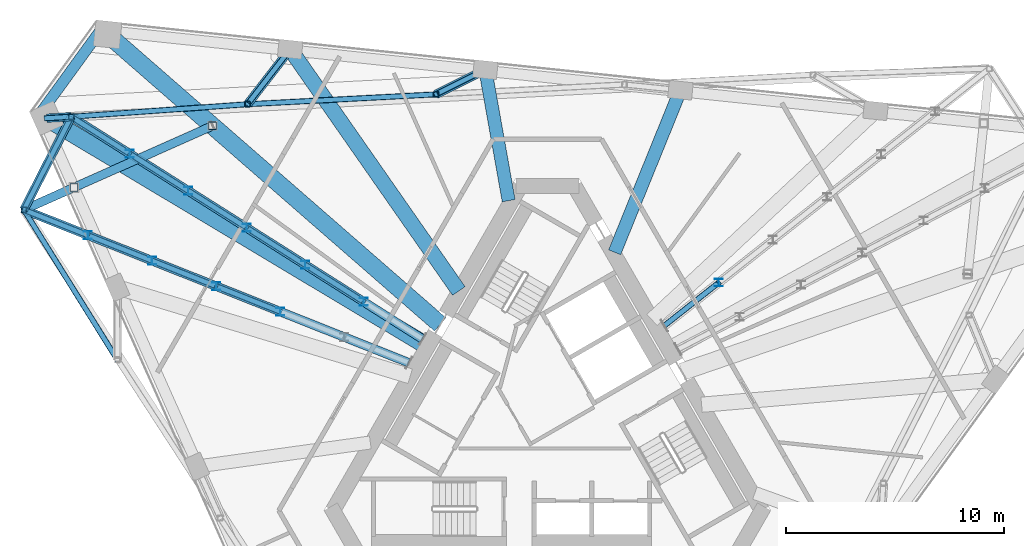
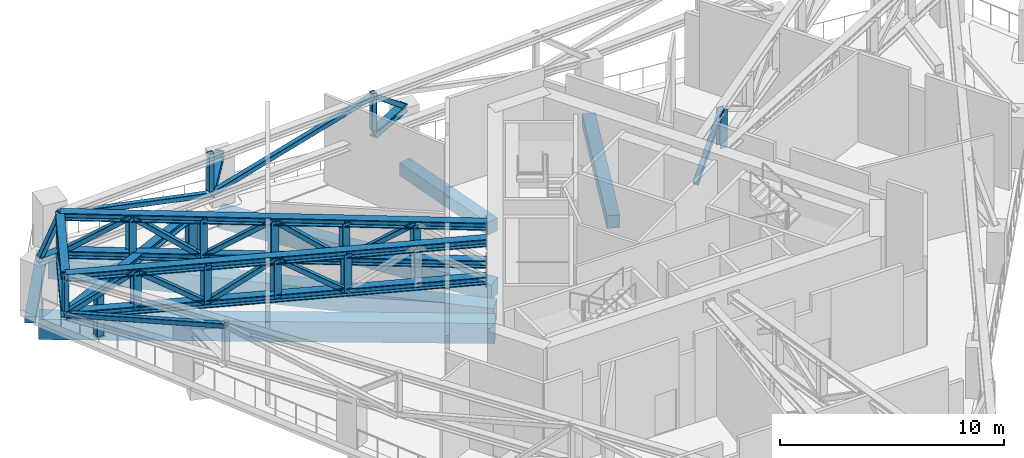
# One storey, part 8 of 20: 43 members, 6 beams.
"""IFC4 building model written with IfcOpenShell, lengths in metres."""

from ifc_helpers import new_model, si_unit, direction, frame, origin, origin_2d, place, context, subcontext, project, spatial, rectangle, hollow_rectangle, i_section, extrude, material, material_profile, profile_set, type_object, element, save


model = new_model("IFC4")

# Units and contexts
model_context = context("Model", 3, precision=1e-05, world=origin(), true_north=direction((0.0, 1.0)))
body_context = subcontext(model_context, "Body", "Model", "MODEL_VIEW")
ifc_project = project(units=[si_unit("LENGTHUNIT", "METRE"), si_unit("AREAUNIT", "SQUARE_METRE"), si_unit("VOLUMEUNIT", "CUBIC_METRE"), si_unit("PLANEANGLEUNIT", "RADIAN"), si_unit("MASSUNIT", "GRAM", prefix="KILO")], contexts=[model_context])

# Site, building, storey
site_placement = place(None, origin())
site = spatial("IfcSite", under=ifc_project, at=site_placement, CompositionType="ELEMENT")
building_placement = place(site_placement, origin())
building = spatial("IfcBuilding", under=site, at=building_placement, Name="Tramontana Tower", CompositionType="ELEMENT")
storey_placement = place(building_placement, frame((0.0, 0.0, 269.199951171875)))
storey = spatial("IfcBuildingStorey", under=building, at=storey_placement, Name="L63", CompositionType="ELEMENT", Elevation=269.199951171875)

# Members
ifc_material_1 = material(Name="Steel ASTM A500 Grade C", Category="steel")
ifc_material_profile_1 = material_profile(ifc_material_1, hollow_rectangle(XDim=0.25390625, YDim=0.25390625, WallThickness=0.01171875, InnerFilletRadius=0.01171875, OuterFilletRadius=0.023681640625, at=origin_2d()), Name="HSS10X10X1/2")
ifc_profile_set_1 = profile_set([ifc_material_profile_1], Name="Steel ASTM A500 Grade C")
member_type_1 = type_object("IfcMemberType", Name="Belt truss HSS10X10X1/2 brace", PredefinedType="BRACE", material=ifc_profile_set_1)
member_1_placement = place(storey_placement, frame((-24.030517578125, 9.55419921875, 2.59375), z_axis=(0.512734717552, -0.822423220012, 0.246420690288), x_axis=(0.848591262561, 0.529049023348, 0.0)))
element("IfcMember", 1, at=member_1_placement, inside=storey, type_object=member_type_1, Name="Belt truss diagonal S0.1", PredefinedType="BRACE", context=body_context, shape_type="SweptSolid", body=[
    extrude(hollow_rectangle(XDim=0.25390625, YDim=0.25390625, WallThickness=0.01171875, InnerFilletRadius=0.01171875, OuterFilletRadius=0.023681640625, at=origin_2d()), origin(), (0.0, 0.0, 1.0), 8.369873046875),
])
member_2_placement = place(storey_placement, frame((-5.114501953125, 14.852783203125, 4.65625), z_axis=(-0.971459126066, -0.050925914552, -0.231675889143), x_axis=(0.052350204922, -0.998628787911, 0.0)))
element("IfcMember", 2, at=member_2_placement, inside=storey, type_object=member_type_1, Name="Belt truss diagonal S2.4", PredefinedType="BRACE", context=body_context, shape_type="SweptSolid", body=[
    extrude(hollow_rectangle(XDim=0.25390625, YDim=0.25390625, WallThickness=0.01171875, InnerFilletRadius=0.01171875, OuterFilletRadius=0.023681640625, at=origin_2d()), origin(), (0.0, 0.0, 1.0), 8.902587890625),
])
member_3_placement = place(storey_placement, frame((-13.762939453125, 14.3994140625, 2.59375), z_axis=(-0.966729169424, -0.06860827997, 0.2464297403), x_axis=(0.070791441365, -0.997491138722, 0.0)))
element("IfcMember", 3, at=member_3_placement, inside=storey, type_object=member_type_1, Name="Belt truss diagonal S2.5", PredefinedType="BRACE", context=body_context, shape_type="SweptSolid", body=[
    extrude(hollow_rectangle(XDim=0.25390625, YDim=0.25390625, WallThickness=0.01171875, InnerFilletRadius=0.01171875, OuterFilletRadius=0.023681640625, at=origin_2d()), origin(), (0.0, 0.0, 1.0), 8.36962890625),
])
member_4_placement = place(storey_placement, frame((-21.85400390625, 13.8251953125, 2.59375), z_axis=(-0.417078150366, -0.818436922322, 0.395230085731), x_axis=(0.890978467196, -0.454045560481, 0.0)))
element("IfcMember", 4, at=member_4_placement, inside=storey, type_object=member_type_1, Name="Belt truss diagonal K0.1", PredefinedType="BRACE", context=body_context, shape_type="SweptSolid", body=[
    extrude(hollow_rectangle(XDim=0.25390625, YDim=0.25390625, WallThickness=0.01171875, InnerFilletRadius=0.01171875, OuterFilletRadius=0.023681640625, at=origin_2d()), origin(), (0.0, 0.0, 1.0), 5.218505859375),
])
ifc_material_2 = material(Name="Steel ASTM A500 Grade C", Category="steel")
ifc_material_profile_2 = material_profile(ifc_material_2, hollow_rectangle(XDim=0.25390625, YDim=0.25390625, WallThickness=0.01171875, InnerFilletRadius=0.01171875, OuterFilletRadius=0.023681640625, at=origin_2d()), Name="HSS10X10X1/2")
ifc_profile_set_2 = profile_set([ifc_material_profile_2], Name="Steel ASTM A500 Grade C")
member_type_2 = type_object("IfcMemberType", Name="Belt truss HSS10X10X1/2 post", PredefinedType="POST", material=ifc_profile_set_2)
for number, where, z_axis, x_axis, name in (
    (5, (-24.030517578125, 9.55419921875, 2.787353515625), (0.0, 0.0, 1.0), (1.0, 0.0, 0.0), "Belt truss post C7K1"),
    (6, (-5.114501953125, 14.852783203125, 2.787353515625), (0.0, 0.0, 1.0), (1.0, 0.0, 0.0), "Belt truss post C7F11"),
    (7, (-13.762939453125, 14.3994140625, 2.787353515625), (0.0, 0.0, 1.0), (1.0, 0.0, 0.0), "Belt truss post C7F12"),
    (8, (-21.85400390625, 13.8251953125, 2.787353515625), (0.0, 0.0, 1.0), (1.0, 0.0, 0.0), "Belt truss post C7K6"),
):
    element("IfcMember", number, at=place(storey_placement, frame(where, z_axis=z_axis, x_axis=x_axis)), inside=storey, type_object=member_type_2, Name=name, PredefinedType="POST", context=body_context, shape_type="SweptSolid", body=[
        extrude(hollow_rectangle(XDim=0.25390625, YDim=0.25390625, WallThickness=0.01171875, InnerFilletRadius=0.01171875, OuterFilletRadius=0.023681640625, at=origin_2d()), origin(), (0.0, 0.0, 1.0), 2.062744140625),
    ])
ifc_material_3 = material(Name="Steel ASTM A992 Grade 50", Category="steel")
ifc_material_profile_3 = material_profile(ifc_material_3, i_section(OverallWidth=0.39697265625, OverallDepth=0.387451171875, WebThickness=0.020751953125, FlangeThickness=0.033447265625, FilletRadius=0.01513671875, at=origin_2d()), Name="W14X176")
ifc_profile_set_3 = profile_set([ifc_material_profile_3], Name="Steel ASTM A992 Grade 50")
member_type_3 = type_object("IfcMemberType", Name="Belt truss W14X176 chord", PredefinedType="CHORD", material=ifc_profile_set_3)
for number, where, z_axis, x_axis, name in (
    (9, (-21.85400390625, 13.8251953125, 2.59375), (-0.454045560481, -0.890978467196, 0.0), (0.890978467196, -0.454045560481, 0.0), "Belt truss bottom chord K0"),
    (10, (-21.85400390625, 13.8251953125, 4.65625), (-0.454045560481, -0.890978467196, 0.0), (0.890978467196, -0.454045560481, 0.0), "Belt truss top chord K0"),
):
    element("IfcMember", number, at=place(storey_placement, frame(where, z_axis=z_axis, x_axis=x_axis)), inside=storey, type_object=member_type_3, Name=name, PredefinedType="CHORD", context=body_context, shape_type="SweptSolid", body=[
        extrude(i_section(OverallWidth=0.39697265625, OverallDepth=0.387451171875, WebThickness=0.020751953125, FlangeThickness=0.033447265625, FilletRadius=0.01513671875, at=origin_2d()), origin(), (0.0, 0.0, 1.0), 4.793701171875),
    ])

# Beams
ifc_material_4 = material(Name="Concrete 40 MPa", Category="concrete")
ifc_material_profile_4 = material_profile(ifc_material_4, rectangle(XDim=0.5, YDim=0.35009765625, at=origin_2d()), Name="RC EDGE BEAM 500X350 40 MPa")
ifc_profile_set_4 = profile_set([ifc_material_profile_4], Name="Concrete 40 MPa")
beam_type_1 = type_object("IfcBeamType", Name="RC EDGE BEAM 500X350 40 MPa", PredefinedType="SPANDREL", material=ifc_profile_set_4)
beam_1_placement = place(storey_placement, frame((-20.356689453125, 18.00146484375, -0.52490234375), z_axis=(-0.587774926142, -0.809024496662, 0.0), x_axis=(0.809024496662, -0.587774926142, 0.0)))
element("IfcBeam", 11, at=beam_1_placement, inside=storey, type_object=beam_type_1, Name="Spandrel beam K0 L63", PredefinedType="SPANDREL", context=body_context, shape_type="SweptSolid", body=[
    extrude(rectangle(XDim=0.5, YDim=0.35009765625, at=origin_2d()), origin(), (0.0, 0.0, 1.0), 5.1962890625),
])
ifc_material_5 = material(Name="Concrete 40 MPa", Category="concrete")
ifc_material_profile_5 = material_profile(ifc_material_5, rectangle(XDim=0.60009765625, YDim=0.699951171875, at=origin_2d()), Name="RC GIRDER 600X700 40 MPa")
ifc_profile_set_5 = profile_set([ifc_material_profile_5], Name="Concrete 40 MPa")
beam_type_2 = type_object("IfcBeamType", Name="RC GIRDER 600X700 40 MPa", PredefinedType="BEAM", material=ifc_profile_set_5)
beam_2_placement = place(storey_placement, frame((6.109375, 15.043701171875, -0.699951171875), z_axis=(-0.376258836782, -0.92651459122, 0.0), x_axis=(0.92651459122, -0.376258836782, 0.0)))
element("IfcBeam", 12, at=beam_2_placement, inside=storey, type_object=beam_type_2, Name="Radial girder C6F10 L63", PredefinedType="BEAM", context=body_context, shape_type="SweptSolid", body=[
    extrude(rectangle(XDim=0.60009765625, YDim=0.699951171875, at=origin_2d()), origin(), (0.0, 0.0, 1.0), 8.032958984375),
])
beam_3_placement = place(storey_placement, frame((-2.847900390625, 15.9853515625, -0.699951171875), z_axis=(0.175388058889, -0.984499379786, 0.0), x_axis=(0.984499379786, 0.175388058889, 0.0)))
element("IfcBeam", 13, at=beam_3_placement, inside=storey, type_object=beam_type_2, Name="Radial girder C6F11 L63", PredefinedType="BEAM", context=body_context, shape_type="SweptSolid", body=[
    extrude(rectangle(XDim=0.60009765625, YDim=0.699951171875, at=origin_2d()), origin(), (0.0, 0.0, 1.0), 6.108154296875),
])
ifc_material_6 = material(Name="Concrete 40 MPa", Category="concrete")
ifc_material_profile_6 = material_profile(ifc_material_6, rectangle(XDim=0.699951171875, YDim=0.89990234375, at=origin_2d()), Name="RC GIRDER 700X900 40 MPa")
ifc_profile_set_6 = profile_set([ifc_material_profile_6], Name="Concrete 40 MPa")
beam_type_3 = type_object("IfcBeamType", Name="RC GIRDER 700X900 40 MPa", PredefinedType="BEAM", material=ifc_profile_set_6)
beam_4_placement = place(storey_placement, frame((-11.805419921875, 16.9267578125, -0.800048828125), z_axis=(0.5720593984, -0.820212194924, 0.0), x_axis=(0.820212194924, 0.5720593984, 0.0)))
element("IfcBeam", 14, at=beam_4_placement, inside=storey, type_object=beam_type_3, Name="Radial girder C6F12 L63", PredefinedType="BEAM", context=body_context, shape_type="SweptSolid", body=[
    extrude(rectangle(XDim=0.699951171875, YDim=0.89990234375, at=origin_2d()), origin(), (0.0, 0.0, 1.0), 13.53271484375),
])
ifc_material_7 = material(Name="Concrete 40 MPa", Category="concrete")
ifc_material_profile_7 = material_profile(ifc_material_7, rectangle(XDim=0.800048828125, YDim=1.10009765625, at=origin_2d()), Name="RC GIRDER 800X1100 40 MPa")
ifc_profile_set_7 = profile_set([ifc_material_profile_7], Name="Concrete 40 MPa")
beam_type_4 = type_object("IfcBeamType", Name="RC GIRDER 800X1100 40 MPa", PredefinedType="BEAM", material=ifc_profile_set_7)
beam_5_placement = place(storey_placement, frame((-22.98291015625, 13.758056640625, -0.89990234375), z_axis=(0.858014507948, -0.513625451229, 0.0), x_axis=(0.513625451229, 0.858014507948, 0.0)))
element("IfcBeam", 15, at=beam_5_placement, inside=storey, type_object=beam_type_4, Name="Radial girder C6K1 L63", PredefinedType="BEAM", context=body_context, shape_type="SweptSolid", body=[
    extrude(rectangle(XDim=0.800048828125, YDim=1.10009765625, at=origin_2d()), origin(), (0.0, 0.0, 1.0), 20.385498046875),
])
beam_6_placement = place(storey_placement, frame((-20.18701171875, 17.606689453125, -0.89990234375), z_axis=(0.753629135933, -0.657299874846, 0.0), x_axis=(0.657299874846, 0.753629135933, 0.0)))
element("IfcBeam", 16, at=beam_6_placement, inside=storey, type_object=beam_type_4, Name="Radial girder C6K6 L63", PredefinedType="BEAM", context=body_context, shape_type="SweptSolid", body=[
    extrude(rectangle(XDim=0.800048828125, YDim=1.10009765625, at=origin_2d()), origin(), (0.0, 0.0, 1.0), 20.2578125),
])

# Members
ifc_material_8 = material(Name="Steel ASTM A500 Grade C", Category="steel")
ifc_material_profile_8 = material_profile(ifc_material_8, hollow_rectangle(XDim=0.25390625, YDim=0.25390625, WallThickness=0.01171875, InnerFilletRadius=0.01171875, OuterFilletRadius=0.023681640625, at=origin_2d()), Name="HSS10X10X1/2")
ifc_profile_set_8 = profile_set([ifc_material_profile_8], Name="Steel ASTM A500 Grade C")
member_type_4 = type_object("IfcMemberType", Name="Transfer truss HSS10X10X1/2 brace", PredefinedType="BRACE", material=ifc_profile_set_8)
member_5_placement = place(storey_placement, frame((-2.847900390625, 15.9853515625, 2.59375), z_axis=(-0.693760470318, -0.346656055774, 0.631289148346), x_axis=(0.446982332957, -0.894542784904, 0.0)))
element("IfcMember", 17, at=member_5_placement, inside=storey, type_object=member_type_4, Name="Transfer truss strut C7F11 diagonal", PredefinedType="BRACE", context=body_context, shape_type="SweptSolid", body=[
    extrude(hollow_rectangle(XDim=0.25390625, YDim=0.25390625, WallThickness=0.01171875, InnerFilletRadius=0.01171875, OuterFilletRadius=0.023681640625, at=origin_2d()), origin(), (0.0, 0.0, 1.0), 3.26708984375),
])
member_6_placement = place(storey_placement, frame((-11.805419921875, 16.9267578125, 2.59375), z_axis=(-0.514544560077, -0.664325927403, 0.542139242147), x_axis=(0.790592512219, -0.612342616207, 0.0)))
element("IfcMember", 18, at=member_6_placement, inside=storey, type_object=member_type_4, Name="Transfer truss strut C7F12 diagonal", PredefinedType="BRACE", context=body_context, shape_type="SweptSolid", body=[
    extrude(hollow_rectangle(XDim=0.25390625, YDim=0.25390625, WallThickness=0.01171875, InnerFilletRadius=0.01171875, OuterFilletRadius=0.023681640625, at=origin_2d()), origin(), (0.0, 0.0, 1.0), 3.804443359375),
])
member_7_placement = place(storey_placement, frame((-22.98291015625, 13.758056640625, 2.59375), z_axis=(0.479936408516, 0.02854293087, 0.87683883632), x_axis=(-0.059367421014, 0.998236199164, 0.0)))
element("IfcMember", 19, at=member_7_placement, inside=storey, type_object=member_type_4, Name="Transfer truss strut C7K6 diagonal", PredefinedType="BRACE", context=body_context, shape_type="SweptSolid", body=[
    extrude(hollow_rectangle(XDim=0.25390625, YDim=0.25390625, WallThickness=0.01171875, InnerFilletRadius=0.01171875, OuterFilletRadius=0.023681640625, at=origin_2d()), origin(), (0.0, 0.0, 1.0), 2.352294921875),
])
member_8_placement = place(storey_placement, frame((5.386962890625, 4.249755859375, 2.59375), z_axis=(0.657260829823, 0.519709634827, 0.545811411614), x_axis=(-0.620246617548, 0.78440686727, 0.0)))
element("IfcMember", 20, at=member_8_placement, inside=storey, type_object=member_type_4, Name="Transfer truss diagonal 4.1", PredefinedType="BRACE", context=body_context, shape_type="SweptSolid", body=[
    extrude(hollow_rectangle(XDim=0.25390625, YDim=0.25390625, WallThickness=0.01171875, InnerFilletRadius=0.01171875, OuterFilletRadius=0.023681640625, at=origin_2d()), origin(), (0.0, 0.0, 1.0), 3.77880859375),
])
for number, where, z_axis, x_axis, name in (
    (21, (-8.4287109375, 5.33056640625, 4.65625), (-0.708807676972, 0.44849905656, -0.54446328924), (-0.534701063709, -0.845041284476, 0.0), "Transfer truss diagonal 5.2"),
    (22, (-11.11376953125, 7.029541015625, 2.59375), (-0.708807676972, 0.44849905656, 0.54446328924), (-0.534701063709, -0.845041284476, 0.0), "Transfer truss diagonal 5.3"),
    (23, (-13.798828125, 8.728515625, 4.65625), (-0.708828164628, 0.448447569511, -0.544479026621), (-0.534646192209, -0.845076002, 0.0), "Transfer truss diagonal 5.4"),
):
    element("IfcMember", number, at=place(storey_placement, frame(where, z_axis=z_axis, x_axis=x_axis)), inside=storey, type_object=member_type_4, Name=name, PredefinedType="BRACE", context=body_context, shape_type="SweptSolid", body=[
        extrude(hollow_rectangle(XDim=0.25390625, YDim=0.25390625, WallThickness=0.01171875, InnerFilletRadius=0.01171875, OuterFilletRadius=0.023681640625, at=origin_2d()), origin(), (0.0, 0.0, 1.0), 3.7880859375),
    ])
member_9_placement = place(storey_placement, frame((-16.48388671875, 10.42724609375, 2.59375), z_axis=(-0.708839743951, 0.448478568793, 0.544438417756), x_axis=(-0.534666347632, -0.845063250124, 0.0)))
element("IfcMember", 24, at=member_9_placement, inside=storey, type_object=member_type_4, Name="Transfer truss diagonal 5.5", PredefinedType="BRACE", context=body_context, shape_type="SweptSolid", body=[
    extrude(hollow_rectangle(XDim=0.25390625, YDim=0.25390625, WallThickness=0.01171875, InnerFilletRadius=0.01171875, OuterFilletRadius=0.023681640625, at=origin_2d()), origin(), (0.0, 0.0, 1.0), 3.788330078125),
])
member_10_placement = place(storey_placement, frame((-19.169189453125, 12.126220703125, 4.65625), z_axis=(-0.708775605598, 0.448519545272, -0.544488161871), x_axis=(-0.534735783391, -0.845019314549, 0.0)))
element("IfcMember", 25, at=member_10_placement, inside=storey, type_object=member_type_4, Name="Transfer truss diagonal 5.6", PredefinedType="BRACE", context=body_context, shape_type="SweptSolid", body=[
    extrude(hollow_rectangle(XDim=0.25390625, YDim=0.25390625, WallThickness=0.01171875, InnerFilletRadius=0.01171875, OuterFilletRadius=0.023681640625, at=origin_2d()), origin(), (0.0, 0.0, 1.0), 3.787841796875),
])
for number, where, z_axis, x_axis, name in (
    (26, (-12.25927734375, 4.87841796875, 2.59375), (-0.778759213312, 0.309268322061, 0.54579042924), (-0.369089755056, -0.929393755473, 0.0), "Transfer truss diagonal 6.3"),
    (27, (-15.2021484375, 6.047119140625, 4.65625), (-0.778702659954, 0.309400733304, -0.545796073284), (-0.369249398526, -0.929330340454, 0.0), "Transfer truss diagonal 6.4"),
):
    element("IfcMember", number, at=place(storey_placement, frame(where, z_axis=z_axis, x_axis=x_axis)), inside=storey, type_object=member_type_4, Name=name, PredefinedType="BRACE", context=body_context, shape_type="SweptSolid", body=[
        extrude(hollow_rectangle(XDim=0.25390625, YDim=0.25390625, WallThickness=0.01171875, InnerFilletRadius=0.01171875, OuterFilletRadius=0.023681640625, at=origin_2d()), origin(), (0.0, 0.0, 1.0), 3.77880859375),
    ])
for number, where, z_axis, x_axis, name in (
    (28, (-18.144775390625, 7.21630859375, 2.59375), (-0.778743652116, 0.309326746833, 0.545779523235), (-0.369156351268, -0.929367305385, 0.0), "Transfer truss diagonal 6.5"),
    (29, (-21.087646484375, 8.38525390625, 4.65625), (-0.778743652116, 0.309326746833, -0.545779523235), (-0.369156351268, -0.929367305385, 0.0), "Transfer truss diagonal 6.6"),
):
    element("IfcMember", number, at=place(storey_placement, frame(where, z_axis=z_axis, x_axis=x_axis)), inside=storey, type_object=member_type_4, Name=name, PredefinedType="BRACE", context=body_context, shape_type="SweptSolid", body=[
        extrude(hollow_rectangle(XDim=0.25390625, YDim=0.25390625, WallThickness=0.01171875, InnerFilletRadius=0.01171875, OuterFilletRadius=0.023681640625, at=origin_2d()), origin(), (0.0, 0.0, 1.0), 3.779052734375),
    ])
ifc_material_9 = material(Name="Steel ASTM A500 Grade C", Category="steel")
ifc_material_profile_9 = material_profile(ifc_material_9, hollow_rectangle(XDim=0.355712890625, YDim=0.355712890625, WallThickness=0.01171875, InnerFilletRadius=0.01171875, OuterFilletRadius=0.023681640625, at=origin_2d()), Name="HSS14X14X1/2")
ifc_profile_set_9 = profile_set([ifc_material_profile_9], Name="Steel ASTM A500 Grade C")
member_type_5 = type_object("IfcMemberType", Name="Transfer truss HSS14X14X1/2 post", PredefinedType="POST", material=ifc_profile_set_9)
for number, where, z_axis, x_axis, name in (
    (30, (-21.731201171875, 10.577880859375, 0.0400390625), (0.0, 0.0, 1.0), (1.0, 0.0, 0.0), "Transfer truss post C7K1.1"),
    (31, (-15.37353515625, 13.408447265625, 0.0400390625), (0.0, 0.0, 1.0), (1.0, 0.0, 0.0), "Transfer truss post C7K1.2"),
):
    element("IfcMember", number, at=place(storey_placement, frame(where, z_axis=z_axis, x_axis=x_axis)), inside=storey, type_object=member_type_5, Name=name, PredefinedType="POST", context=body_context, shape_type="SweptSolid", body=[
        extrude(hollow_rectangle(XDim=0.355712890625, YDim=0.355712890625, WallThickness=0.01171875, InnerFilletRadius=0.01171875, OuterFilletRadius=0.023681640625, at=origin_2d()), origin(), (0.0, 0.0, 1.0), 2.360107421875),
    ])
ifc_material_10 = material(Name="Steel ASTM A992 Grade 50", Category="steel")
ifc_material_profile_10 = material_profile(ifc_material_10, i_section(OverallWidth=0.39697265625, OverallDepth=0.387451171875, WebThickness=0.020751953125, FlangeThickness=0.033447265625, FilletRadius=0.01513671875, at=origin_2d()), Name="W14X176")
ifc_profile_set_10 = profile_set([ifc_material_profile_10], Name="Steel ASTM A992 Grade 50")
member_type_6 = type_object("IfcMemberType", Name="Transfer truss W14X176 chord", PredefinedType="CHORD", material=ifc_profile_set_10)
member_11_placement = place(storey_placement, frame((-24.030517578125, 9.55419921875, 2.59375), z_axis=(0.913548941731, 0.406728817595, 0.0), x_axis=(-0.406728817595, 0.913548941731, 0.0)))
element("IfcMember", 32, at=member_11_placement, inside=storey, type_object=member_type_6, Name="Transfer truss girder C7K1", PredefinedType="CHORD", context=body_context, shape_type="SweptSolid", body=[
    extrude(i_section(OverallWidth=0.39697265625, OverallDepth=0.387451171875, WebThickness=0.020751953125, FlangeThickness=0.033447265625, FilletRadius=0.01513671875, at=origin_2d()), origin(), (0.0, 0.0, 1.0), 9.476318359375),
])
ifc_material_11 = material(Name="Steel ASTM A992 Grade 50", Category="steel")
ifc_material_profile_11 = material_profile(ifc_material_11, i_section(OverallWidth=0.39697265625, OverallDepth=0.387451171875, WebThickness=0.020751953125, FlangeThickness=0.033447265625, FilletRadius=0.01513671875, at=origin_2d()), Name="W14X176")
ifc_profile_set_11 = profile_set([ifc_material_profile_11], Name="Steel ASTM A992 Grade 50")
member_type_7 = type_object("IfcMemberType", Name="Transfer truss W14X176 strut", PredefinedType="STRUT", material=ifc_profile_set_11)
member_12_placement = place(storey_placement, frame((-2.847900390625, 15.9853515625, 2.59375), z_axis=(-0.894542784904, -0.446982332957, 0.0), x_axis=(0.446982332957, -0.894542784904, 0.0)))
element("IfcMember", 33, at=member_12_placement, inside=storey, type_object=member_type_7, Name="Transfer truss strut C7F11 bottom", PredefinedType="STRUT", context=body_context, shape_type="SweptSolid", body=[
    extrude(i_section(OverallWidth=0.39697265625, OverallDepth=0.387451171875, WebThickness=0.020751953125, FlangeThickness=0.033447265625, FilletRadius=0.01513671875, at=origin_2d()), origin(), (0.0, 0.0, 1.0), 2.53369140625),
])
member_13_placement = place(storey_placement, frame((-11.805419921875, 16.9267578125, 2.59375), z_axis=(-0.612342616207, -0.790592512219, 0.0), x_axis=(0.790592512219, -0.612342616207, 0.0)))
element("IfcMember", 34, at=member_13_placement, inside=storey, type_object=member_type_7, Name="Transfer truss strut C7F12 bottom", PredefinedType="STRUT", context=body_context, shape_type="SweptSolid", body=[
    extrude(i_section(OverallWidth=0.39697265625, OverallDepth=0.387451171875, WebThickness=0.020751953125, FlangeThickness=0.033447265625, FilletRadius=0.01513671875, at=origin_2d()), origin(), (0.0, 0.0, 1.0), 3.19677734375),
])
member_14_placement = place(storey_placement, frame((-22.98291015625, 13.758056640625, 2.59375), z_axis=(0.998236199164, 0.059367421014, 0.0), x_axis=(-0.059367421014, 0.998236199164, 0.0)))
element("IfcMember", 35, at=member_14_placement, inside=storey, type_object=member_type_7, Name="Transfer truss strut C7K6 bottom", PredefinedType="STRUT", context=body_context, shape_type="SweptSolid", body=[
    extrude(i_section(OverallWidth=0.39697265625, OverallDepth=0.387451171875, WebThickness=0.020751953125, FlangeThickness=0.033447265625, FilletRadius=0.01513671875, at=origin_2d()), origin(), (0.0, 0.0, 1.0), 1.130859375),
])
ifc_material_12 = material(Name="Steel ASTM A992 Grade 50", Category="steel")
ifc_material_profile_12 = material_profile(ifc_material_12, i_section(OverallWidth=0.4033203125, OverallDepth=0.406494140625, WebThickness=0.027099609375, FlangeThickness=0.04443359375, FilletRadius=0.01513671875, at=origin_2d()), Name="W14X233")
ifc_profile_set_12 = profile_set([ifc_material_profile_12], Name="Steel ASTM A992 Grade 50")
member_type_8 = type_object("IfcMemberType", Name="Transfer truss W14X233 chord", PredefinedType="CHORD", material=ifc_profile_set_12)
for number, where, z_axis, x_axis, name in (
    (36, (-5.74365234375, 3.631591796875, 2.59375), (-0.845047070779, 0.534691918928, 0.0), (-0.534691918928, -0.845047070779, 0.0), "Transfer truss bottom chord 5"),
    (37, (-5.74365234375, 3.631591796875, 4.65625), (-0.845047070779, 0.534691918928, 0.0), (-0.534691918928, -0.845047070779, 0.0), "Transfer truss top chord 5"),
):
    element("IfcMember", number, at=place(storey_placement, frame(where, z_axis=z_axis, x_axis=x_axis)), inside=storey, type_object=member_type_8, Name=name, PredefinedType="CHORD", context=body_context, shape_type="SweptSolid", body=[
        extrude(i_section(OverallWidth=0.4033203125, OverallDepth=0.406494140625, WebThickness=0.027099609375, FlangeThickness=0.04443359375, FilletRadius=0.01513671875, at=origin_2d()), origin(), (0.0, 0.0, 1.0), 19.064453125),
    ])
for number, where, z_axis, x_axis, name in (
    (38, (-6.373779296875, 2.540283203125, 2.59375), (-0.929359394081, 0.3691762677, 0.0), (-0.3691762677, -0.929359394081, 0.0), "Transfer truss bottom chord 6"),
    (39, (-6.373779296875, 2.540283203125, 4.65625), (-0.929359394081, 0.3691762677, 0.0), (-0.3691762677, -0.929359394081, 0.0), "Transfer truss top chord 6"),
):
    element("IfcMember", number, at=place(storey_placement, frame(where, z_axis=z_axis, x_axis=x_axis)), inside=storey, type_object=member_type_8, Name=name, PredefinedType="CHORD", context=body_context, shape_type="SweptSolid", body=[
        extrude(i_section(OverallWidth=0.4033203125, OverallDepth=0.406494140625, WebThickness=0.027099609375, FlangeThickness=0.04443359375, FilletRadius=0.01513671875, at=origin_2d()), origin(), (0.0, 0.0, 1.0), 18.998779296875),
    ])
ifc_material_13 = material(Name="Steel ASTM A992 Grade 50", Category="steel")
ifc_material_profile_13 = material_profile(ifc_material_13, i_section(OverallWidth=0.368408203125, OverallDepth=0.355712890625, WebThickness=0.01123046875, FlangeThickness=0.017578125, FilletRadius=0.01513671875, at=origin_2d()), Name="W14X90")
ifc_profile_set_13 = profile_set([ifc_material_profile_13], Name="Steel ASTM A992 Grade 50")
member_type_9 = type_object("IfcMemberType", Name="Transfer truss W14X90 post", PredefinedType="POST", material=ifc_profile_set_13)
for number, where, z_axis, x_axis, name in (
    (40, (7.87060546875, 6.213623046875, 2.59375), (0.0, 0.0, 1.0), (1.0, 0.0, 0.0), "Transfer truss post 4.1"),
    (41, (-8.4287109375, 5.33056640625, 2.59375), (0.0, 0.0, 1.0), (1.0, 0.0, 0.0), "Transfer truss post 5.1"),
    (42, (-11.11376953125, 7.029541015625, 2.59375), (0.0, 0.0, 1.0), (1.0, 0.0, 0.0), "Transfer truss post 5.2"),
    (43, (-13.798828125, 8.728515625, 2.59375), (0.0, 0.0, 1.0), (1.0, 0.0, 0.0), "Transfer truss post 5.3"),
    (44, (-16.48388671875, 10.42724609375, 2.59375), (0.0, 0.0, 1.0), (1.0, 0.0, 0.0), "Transfer truss post 5.4"),
    (45, (-19.169189453125, 12.126220703125, 2.59375), (0.0, 0.0, 1.0), (1.0, 0.0, 0.0), "Transfer truss post 5.5"),
    (46, (-12.25927734375, 4.87841796875, 2.59375), (0.0, 0.0, 1.0), (1.0, 0.0, 0.0), "Transfer truss post 6.2"),
    (47, (-15.2021484375, 6.047119140625, 2.59375), (0.0, 0.0, 1.0), (1.0, 0.0, 0.0), "Transfer truss post 6.3"),
    (48, (-18.144775390625, 7.21630859375, 2.59375), (0.0, 0.0, 1.0), (1.0, 0.0, 0.0), "Transfer truss post 6.4"),
    (49, (-21.087646484375, 8.38525390625, 2.59375), (0.0, 0.0, 1.0), (1.0, 0.0, 0.0), "Transfer truss post 6.5"),
):
    element("IfcMember", number, at=place(storey_placement, frame(where, z_axis=z_axis, x_axis=x_axis)), inside=storey, type_object=member_type_9, Name=name, PredefinedType="POST", context=body_context, shape_type="SweptSolid", body=[
        extrude(i_section(OverallWidth=0.368408203125, OverallDepth=0.355712890625, WebThickness=0.01123046875, FlangeThickness=0.017578125, FilletRadius=0.01513671875, at=origin_2d()), origin(), (0.0, 0.0, 1.0), 2.0625),
    ])

save(model, "model.ifc")
